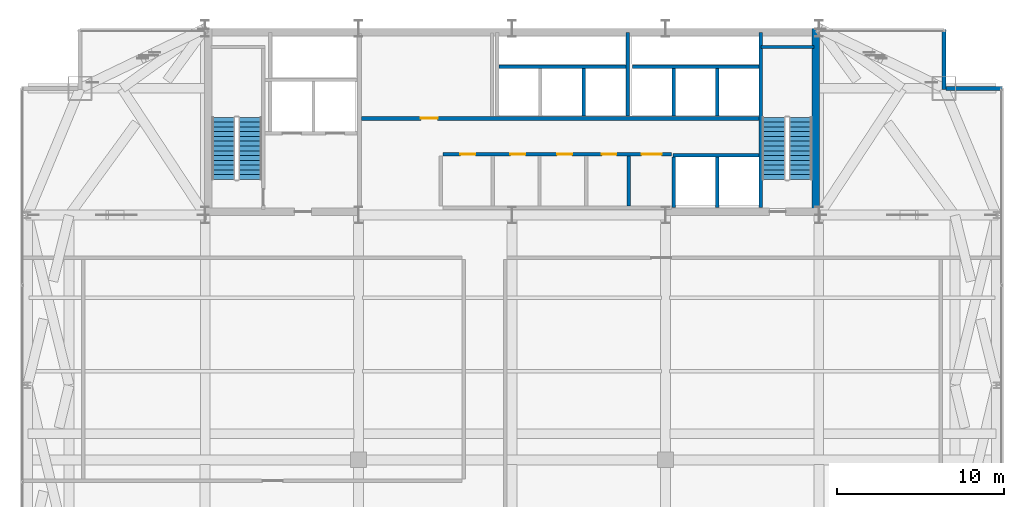
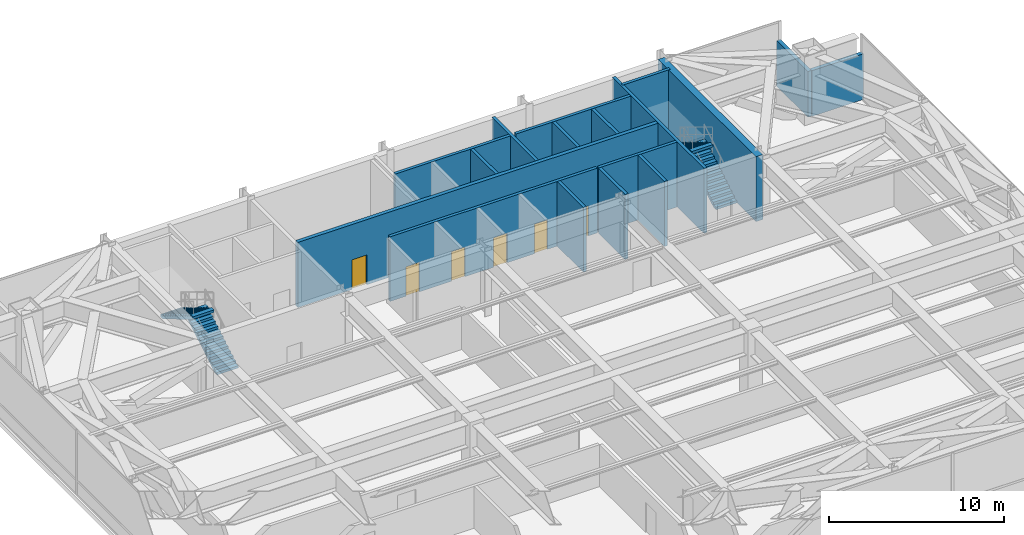
# One storey, part 31 of 32: 17 walls, 6 doors, 4 stair flights, 6 openings, 2 elements without a shape of their own.
"""IFC4 building model written with IfcOpenShell, lengths in metres."""

from ifc_helpers import new_model, si_unit, direction, frame, frame_2d, origin, place, context, subcontext, project, spatial, polyline, rectangle, outline, extrude, source, transform, mapped, material, layer, layer_set, type_object, type_shapes, element, fill, aggregate, save


model = new_model("IFC4")

# Units and contexts
model_context = context("Model", 3, precision=1e-05, world=origin(), true_north=direction((0.0, 1.0)))
body_context = subcontext(model_context, "Body", "Model", "MODEL_VIEW")
ifc_project = project(units=[si_unit("LENGTHUNIT", "METRE"), si_unit("AREAUNIT", "SQUARE_METRE"), si_unit("VOLUMEUNIT", "CUBIC_METRE"), si_unit("PLANEANGLEUNIT", "RADIAN"), si_unit("MASSUNIT", "GRAM", prefix="KILO")], contexts=[model_context])

# Site, building, storey
site_placement = place(None, origin())
site = spatial("IfcSite", under=ifc_project, at=site_placement, CompositionType="ELEMENT")
building_placement = place(site_placement, origin())
building = spatial("IfcBuilding", under=site, at=building_placement, Name="Varnel Quay Broadcast Tower", CompositionType="ELEMENT")
storey_placement = place(building_placement, frame((0.0, 0.0, 141.0)))
storey = spatial("IfcBuildingStorey", under=building, at=storey_placement, Name="L34", CompositionType="ELEMENT", Elevation=141.0)

# Walls
ifc_material_1 = material(Name="Concrete CSA A23.3 C50/60", Category="concrete")
ifc_layer_1 = layer(ifc_material_1, 0.199951171875, Name="Concrete CSA A23.3 C50/60")
ifc_layer_set_1 = layer_set([ifc_layer_1], Name="Concrete CSA A23.3 C50/60")
wall_type_1 = type_object("IfcWallType", Name="Wall_CoreShaftShear200", PredefinedType="SHEAR", material=ifc_layer_set_1)
wall_1_placement = place(storey_placement, frame((48.919921875, 36.050048828125, 0.0), z_axis=(0.0, 0.0, 1.0), x_axis=(0.0, 1.0, 0.0)))
element("IfcWall", 1, at=wall_1_placement, inside=storey, type_object=wall_type_1, Name="L34 Stair 2 West Structural Wall", PredefinedType="SHEAR", context=body_context, shape_type="SweptSolid", body=[
    extrude(rectangle(XDim=10.5, YDim=0.199951171875, at=frame_2d((5.25, 0.0))), origin(), (0.0, 0.0, 1.0), 4.550048828125),
])
wall_2_placement = place(storey_placement, frame((48.919921875, 45.679931640625, 0.0), z_axis=(0.0, 0.0, 1.0), x_axis=(1.0, 0.0, 0.0)))
element("IfcWall", 2, at=wall_2_placement, inside=storey, type_object=wall_type_1, Name="L34 Stair 2 North Structural Wall", PredefinedType="SHEAR", context=body_context, shape_type="SweptSolid", body=[
    extrude(rectangle(XDim=3.18017578125, YDim=0.199951171875, at=frame_2d((1.590087890625, 0.0))), origin(), (0.0, 0.0, 1.0), 4.550048828125),
])
wall_3_placement = place(storey_placement, frame((33.219970703125, 44.5, 0.0), z_axis=(0.0, 0.0, 1.0), x_axis=(1.0, 0.0, 0.0)))
element("IfcWall", 3, at=wall_3_placement, inside=storey, type_object=wall_type_1, Name="L34 Mid-Rise Lift Shaft Rear Wall", PredefinedType="SHEAR", context=body_context, shape_type="SweptSolid", body=[
    extrude(rectangle(XDim=7.630126953125, YDim=0.199951171875, at=frame_2d((3.81494140625, 0.0))), origin(), (0.0, 0.0, 1.0), 4.550048828125),
])
wall_4_placement = place(storey_placement, frame((38.300048828125, 41.530029296875, 0.0), z_axis=(0.0, 0.0, 1.0), x_axis=(0.0, 1.0, 0.0)))
element("IfcWall", 4, at=wall_4_placement, inside=storey, type_object=wall_type_1, Name="L34 Mid-Rise Lift Shaft Divider 3", PredefinedType="SHEAR", context=body_context, shape_type="SweptSolid", body=[
    extrude(rectangle(XDim=2.869873046875, YDim=0.199951171875, at=frame_2d((1.43505859375, 0.0))), origin(), (0.0, 0.0, 1.0), 4.550048828125),
])
wall_5_placement = place(storey_placement, frame((40.949951171875, 41.530029296875, 0.0), z_axis=(0.0, 0.0, 1.0), x_axis=(0.0, 1.0, 0.0)))
element("IfcWall", 5, at=wall_5_placement, inside=storey, type_object=wall_type_1, Name="L34 Mid-Rise Lift Shaft Divider 4", PredefinedType="SHEAR", context=body_context, shape_type="SweptSolid", body=[
    extrude(rectangle(XDim=5.02001953125, YDim=0.199951171875, at=frame_2d((2.510009765625, 0.0))), origin(), (0.0, 0.0, 1.0), 4.550048828125),
])
wall_6_placement = place(storey_placement, frame((41.219970703125, 44.5, 0.0), z_axis=(0.0, 0.0, 1.0), x_axis=(1.0, 0.0, 0.0)))
element("IfcWall", 6, at=wall_6_placement, inside=storey, type_object=wall_type_1, Name="L34 High-Rise Lift Shaft Rear Wall", PredefinedType="SHEAR", context=body_context, shape_type="SweptSolid", body=[
    extrude(rectangle(XDim=7.580078125, YDim=0.199951171875, at=frame_2d((3.7900390625, 0.0))), origin(), (0.0, 0.0, 1.0), 4.550048828125),
])
for number, where, z_axis, x_axis, name in (
    (7, (43.699951171875, 41.530029296875, 0.0), (0.0, 0.0, 1.0), (0.0, 1.0, 0.0), "L34 High-Rise Lift Shaft Divider 2"),
    (8, (46.300048828125, 41.530029296875, 0.0), (0.0, 0.0, 1.0), (0.0, 1.0, 0.0), "L34 High-Rise Lift Shaft Divider 3"),
):
    element("IfcWall", number, at=place(storey_placement, frame(where, z_axis=z_axis, x_axis=x_axis)), inside=storey, type_object=wall_type_1, Name=name, PredefinedType="SHEAR", context=body_context, shape_type="SweptSolid", body=[
        extrude(rectangle(XDim=2.869873046875, YDim=0.199951171875, at=frame_2d((1.43505859375, 0.0))), origin(), (0.0, 0.0, 1.0), 4.550048828125),
    ])
for number, where, z_axis, x_axis, name in (
    (9, (43.699951171875, 36.050048828125, 0.0), (0.0, 0.0, 1.0), (0.0, 1.0, 0.0), "L34 Express Lift Shaft West Wall"),
    (10, (46.300048828125, 36.050048828125, 0.0), (0.0, 0.0, 1.0), (0.0, 1.0, 0.0), "L34 Express Lift Shaft Divider"),
):
    element("IfcWall", number, at=place(storey_placement, frame(where, z_axis=z_axis, x_axis=x_axis)), inside=storey, type_object=wall_type_1, Name=name, PredefinedType="SHEAR", context=body_context, shape_type="SweptSolid", body=[
        extrude(rectangle(XDim=3.050048828125, YDim=0.199951171875, at=frame_2d((1.52490234375, 0.0))), origin(), (0.0, 0.0, 1.0), 4.550048828125),
    ])
wall_7_placement = place(storey_placement, frame((43.64990234375, 39.199951171875, 0.0), z_axis=(0.0, 0.0, 1.0), x_axis=(1.0, 0.0, 0.0)))
element("IfcWall", 11, at=wall_7_placement, inside=storey, type_object=wall_type_1, Name="L34 Express Lift Shaft North Front Wall", PredefinedType="SHEAR", context=body_context, shape_type="SweptSolid", body=[
    extrude(rectangle(XDim=5.150146484375, YDim=0.199951171875, at=frame_2d((2.5751953125, 0.0))), origin(), (0.0, 0.0, 1.0), 4.550048828125),
])

# Wall, opening, door
ifc_layer_2 = layer(ifc_material_1, 0.25, Name="Concrete CSA A23.3 C50/60")
ifc_layer_set_2 = layer_set([ifc_layer_2], Name="Concrete CSA A23.3 C50/60")
wall_type_2 = type_object("IfcWallType", Name="Wall_CoreShaftShear250", PredefinedType="SHEAR", material=ifc_layer_set_2)
wall_8_placement = place(storey_placement, frame((24.97998046875, 41.39990234375, 0.0), z_axis=(0.0, 0.0, 1.0), x_axis=(1.0, 0.0, 0.0)))
wall_8 = element("IfcWall", 12, at=wall_8_placement, inside=storey, type_object=wall_type_2, Name="L34 North Lift Bank & Reclaimed Suite Wall", PredefinedType="SHEAR", context=body_context, shape_type="SweptSolid", body=[
    extrude(rectangle(XDim=23.820068359375, YDim=0.25, at=frame_2d((11.91015625, 0.0))), origin(), (0.0, 0.0, 1.0), 4.550048828125),
])
opening_1_placement = place(wall_8_placement, frame((3.56005859375, 0.0, 0.0)))
opening_1 = element("IfcOpeningElement", 13, at=opening_1_placement, cuts=wall_8, Name="Opening D-L34-RECA1", PredefinedType="OPENING", context=body_context, shape_type="SweptSolid", body=[
    extrude(rectangle(XDim=1.0, YDim=2.080078125, at=frame_2d((0.5, 1.0400390625))), frame((0.0, 0.135009765625, 0.0), z_axis=(0.0, -1.0, 0.0), x_axis=(1.0, 0.0, 0.0)), (0.0, 0.0, 1.0), 0.27001953125),
])
ifc_material_2 = material(Name="Insulated Fire-Rated Hollow Steel Door", Category="steel")
door_type_1 = type_object("IfcDoorType", Name="Door_FireLobby1000", OperationType="NOTDEFINED", PredefinedType="DOOR", material=ifc_material_2)
shared_shape_1 = source(origin(), body_context, "Body", "SweptSolid", [
    extrude(rectangle(XDim=1.0, YDim=2.080078125, at=frame_2d((0.5, 1.0400390625))), frame((0.0, 0.02490234375, 0.0), z_axis=(0.0, -1.0, 0.0), x_axis=(1.0, 0.0, 0.0)), (0.0, 0.0, 1.0), 0.050048828125),
])
type_shapes(door_type_1, [shared_shape_1])
door_1_placement = place(opening_1_placement, origin())
door_1 = element("IfcDoor", 14, at=door_1_placement, inside=storey, type_object=door_type_1, Name="L34 L34 Mechanical Exhaust Plenum A Door", OperationType="SINGLE_SWING_LEFT", OverallHeight=2.080078125, OverallWidth=1.0, PredefinedType="DOOR", context=body_context, shape_type="MappedRepresentation", body=[
    mapped(shared_shape_1, transform((0.0, 0.0, 0.0), x_axis=(1.0, 0.0, 0.0), y_axis=(0.0, 1.0, 0.0), z_axis=(0.0, 0.0, 1.0), scale=1.0)),
])
fill(opening_1, door_1)

# Walls
ifc_material_3 = material(Name="Concrete CSA A23.3 C60/75", Category="concrete")
ifc_layer_3 = layer(ifc_material_3, 0.449951171875, Name="Concrete CSA A23.3 C60/75")
ifc_layer_set_3 = layer_set([ifc_layer_3], Name="Concrete CSA A23.3 C60/75")
wall_type_3 = type_object("IfcWallType", Name="Wall_CoreShearInt450", PredefinedType="SHEAR", material=ifc_layer_set_3)
wall_9_placement = place(storey_placement, frame((52.205078125, 35.570068359375, 0.0), z_axis=(0.0, 0.0, 1.0), x_axis=(0.0, 1.0, 0.0)))
element("IfcWall", 15, at=wall_9_placement, inside=storey, type_object=wall_type_3, Name="L34 East Core Shear Wall", PredefinedType="SHEAR", context=body_context, shape_type="SweptSolid", body=[
    extrude(rectangle(XDim=11.22998046875, YDim=0.449951171875, at=frame_2d((5.614990234375, 0.0))), origin(), (0.0, 0.0, 1.0), 4.550048828125),
])
ifc_material_4 = material(Name="Precast Architectural Concrete C40/50", Category="concrete")
ifc_layer_4 = layer(ifc_material_4, 0.25, Name="Precast Architectural Concrete C40/50")
ifc_layer_set_4 = layer_set([ifc_layer_4], Name="Precast Architectural Concrete C40/50")
wall_type_4 = type_object("IfcWallType", Name="Wall_ExtTerrace250", PredefinedType="SOLIDWALL", material=ifc_layer_set_4)
wall_10_placement = place(storey_placement, frame((60.030029296875, 43.199951171875, 0.0), z_axis=(0.0, 0.0, 1.0), x_axis=(1.0, 0.0, 0.0)))
element("IfcWall", 16, at=wall_10_placement, inside=storey, type_object=wall_type_4, Name="L34 Mega-Column Notch Cladding Wall NNE1", PredefinedType="SOLIDWALL", context=body_context, shape_type="SweptSolid", body=[
    extrude(rectangle(XDim=3.389892578125, YDim=0.25, at=frame_2d((1.69482421875, 0.0))), origin(), (0.0, 0.0, 1.0), 3.195068359375),
])
wall_11_placement = place(storey_placement, frame((59.89990234375, 43.1201171875, 0.0), z_axis=(0.0, 0.0, 1.0), x_axis=(0.0, 1.0, 0.0)))
element("IfcWall", 17, at=wall_11_placement, inside=storey, type_object=wall_type_4, Name="L34 Mega-Column Notch Cladding Wall NNE2", PredefinedType="SOLIDWALL", context=body_context, shape_type="SweptSolid", body=[
    extrude(rectangle(XDim=3.599853515625, YDim=0.25, at=frame_2d((1.7998046875, 0.0))), origin(), (0.0, 0.0, 1.0), 3.195068359375),
])

# Wall, openings, doors
ifc_material_5 = material(Name="Concrete Blockwork Fire Enclosure C40/50", Category="masonry")
ifc_layer_5 = layer(ifc_material_5, 0.199951171875, Name="Concrete Blockwork Fire Enclosure C40/50")
ifc_layer_set_5 = layer_set([ifc_layer_5], Name="Concrete Blockwork Fire Enclosure C40/50")
wall_type_5 = type_object("IfcWallType", Name="Wall_FireShaft200", PredefinedType="SOLIDWALL", material=ifc_layer_set_5)
wall_12_placement = place(storey_placement, frame((29.85009765625, 39.25, 0.0), z_axis=(0.0, 0.0, 1.0), x_axis=(1.0, 0.0, 0.0)))
wall_12 = element("IfcWall", 18, at=wall_12_placement, inside=storey, type_object=wall_type_5, Name="L34 Plant Floor Accessible Washroom Partition 3", PredefinedType="SOLIDWALL", context=body_context, shape_type="SweptSolid", body=[
    extrude(rectangle(XDim=13.699951171875, YDim=0.199951171875, at=frame_2d((6.85009765625, 0.0))), origin(), (0.0, 0.0, 1.0), 4.530029296875),
])
opening_2_placement = place(wall_12_placement, frame((1.050048828125, 0.0, 0.0)))
opening_2 = element("IfcOpeningElement", 19, at=opening_2_placement, cuts=wall_12, Name="Opening D-L34-01", PredefinedType="OPENING", context=body_context, shape_type="SweptSolid", body=[
    extrude(rectangle(XDim=0.89990234375, YDim=2.06005859375, at=frame_2d((0.449951171875, 1.030029296875))), frame((0.0, 0.10986328125, 0.0), z_axis=(0.0, -1.0, 0.0), x_axis=(1.0, 0.0, 0.0)), (0.0, 0.0, 1.0), 0.219970703125),
])
opening_3_placement = place(wall_12_placement, frame((4.050048828125, 0.0, 0.0)))
opening_3 = element("IfcOpeningElement", 20, at=opening_3_placement, cuts=wall_12, Name="Opening D-L34-02", PredefinedType="OPENING", context=body_context, shape_type="SweptSolid", body=[
    extrude(rectangle(XDim=0.89990234375, YDim=2.06005859375, at=frame_2d((0.449951171875, 1.030029296875))), frame((0.0, 0.10986328125, 0.0), z_axis=(0.0, -1.0, 0.0), x_axis=(1.0, 0.0, 0.0)), (0.0, 0.0, 1.0), 0.219970703125),
])
opening_4_placement = place(wall_12_placement, frame((6.85009765625, 0.0, 0.0)))
opening_4 = element("IfcOpeningElement", 21, at=opening_4_placement, cuts=wall_12, Name="Opening D-L34-03", PredefinedType="OPENING", context=body_context, shape_type="SweptSolid", body=[
    extrude(rectangle(XDim=0.89990234375, YDim=2.06005859375, at=frame_2d((0.449951171875, 1.030029296875))), frame((0.0, 0.10986328125, 0.0), z_axis=(0.0, -1.0, 0.0), x_axis=(1.0, 0.0, 0.0)), (0.0, 0.0, 1.0), 0.219970703125),
])
opening_5_placement = place(wall_12_placement, frame((9.534912109375, 0.0, 0.0)))
opening_5 = element("IfcOpeningElement", 22, at=opening_5_placement, cuts=wall_12, Name="Opening D-L34-04", PredefinedType="OPENING", context=body_context, shape_type="SweptSolid", body=[
    extrude(rectangle(XDim=0.8798828125, YDim=2.06005859375, at=frame_2d((0.43994140625, 1.030029296875))), frame((0.0, 0.10986328125, 0.0), z_axis=(0.0, -1.0, 0.0), x_axis=(1.0, 0.0, 0.0)), (0.0, 0.0, 1.0), 0.219970703125),
])
opening_6_placement = place(wall_12_placement, frame((11.925048828125, 0.0, 0.0)))
opening_6 = element("IfcOpeningElement", 23, at=opening_6_placement, cuts=wall_12, Name="Opening D-L34-05", PredefinedType="OPENING", context=body_context, shape_type="SweptSolid", body=[
    extrude(rectangle(XDim=1.199951171875, YDim=2.10009765625, at=frame_2d((0.60009765625, 1.050048828125))), frame((0.0, 0.10986328125, 0.0), z_axis=(0.0, -1.0, 0.0), x_axis=(1.0, 0.0, 0.0)), (0.0, 0.0, 1.0), 0.219970703125),
])
ifc_material_6 = material(Name="Solid-Core Fire-Rated Acoustic Oak Veneer Door", Category="wood")
door_type_2 = type_object("IfcDoorType", Name="Door_Washroom900", OperationType="NOTDEFINED", PredefinedType="DOOR", material=ifc_material_6)
shared_shape_2 = source(origin(), body_context, "Body", "SweptSolid", [
    extrude(rectangle(XDim=0.89990234375, YDim=2.06005859375, at=frame_2d((0.449951171875, 1.030029296875))), frame((0.0, 0.02490234375, 0.0), z_axis=(0.0, -1.0, 0.0), x_axis=(1.0, 0.0, 0.0)), (0.0, 0.0, 1.0), 0.050048828125),
])
type_shapes(door_type_2, [shared_shape_2])
door_2_placement = place(opening_2_placement, frame((0.89990234375, 0.0, 0.0), z_axis=(0.0, 0.0, 1.0), x_axis=(-1.0, 0.0, 0.0)))
door_2 = element("IfcDoor", 24, at=door_2_placement, inside=storey, type_object=door_type_2, Name="L34 Plant Floor Accessible Washroom Door D-L34-01", OperationType="SINGLE_SWING_RIGHT", OverallHeight=2.06005859375, OverallWidth=0.89990234375, PredefinedType="DOOR", context=body_context, shape_type="MappedRepresentation", body=[
    mapped(shared_shape_2, transform((0.0, 0.0, 0.0), x_axis=(1.0, 0.0, 0.0), y_axis=(0.0, 1.0, 0.0), z_axis=(0.0, 0.0, 1.0), scale=1.0)),
])
fill(opening_2, door_2)
door_3_placement = place(opening_3_placement, frame((0.89990234375, 0.0, 0.0), z_axis=(0.0, 0.0, 1.0), x_axis=(-1.0, 0.0, 0.0)))
door_3 = element("IfcDoor", 25, at=door_3_placement, inside=storey, type_object=door_type_2, Name="L34 Mechanical West Washroom Door D-L34-02", OperationType="SINGLE_SWING_LEFT", OverallHeight=2.06005859375, OverallWidth=0.89990234375, PredefinedType="DOOR", context=body_context, shape_type="MappedRepresentation", body=[
    mapped(shared_shape_2, transform((0.0, 0.0, 0.0), x_axis=(1.0, 0.0, 0.0), y_axis=(0.0, 1.0, 0.0), z_axis=(0.0, 0.0, 1.0), scale=1.0)),
])
fill(opening_3, door_3)
door_4_placement = place(opening_4_placement, frame((0.89990234375, 0.0, 0.0), z_axis=(0.0, 0.0, 1.0), x_axis=(-1.0, 0.0, 0.0)))
door_4 = element("IfcDoor", 26, at=door_4_placement, inside=storey, type_object=door_type_2, Name="L34 Mechanical East Washroom Door D-L34-03", OperationType="SINGLE_SWING_RIGHT", OverallHeight=2.06005859375, OverallWidth=0.89990234375, PredefinedType="DOOR", context=body_context, shape_type="MappedRepresentation", body=[
    mapped(shared_shape_2, transform((0.0, 0.0, 0.0), x_axis=(1.0, 0.0, 0.0), y_axis=(0.0, 1.0, 0.0), z_axis=(0.0, 0.0, 1.0), scale=1.0)),
])
fill(opening_4, door_4)
door_type_3 = type_object("IfcDoorType", Name="Door_Plant1200", OperationType="NOTDEFINED", PredefinedType="DOOR", material=ifc_material_2)
shared_shape_3 = source(origin(), body_context, "Body", "SweptSolid", [
    extrude(rectangle(XDim=1.199951171875, YDim=2.10009765625, at=frame_2d((0.60009765625, 1.050048828125))), frame((0.0, 0.02490234375, 0.0), z_axis=(0.0, -1.0, 0.0), x_axis=(1.0, 0.0, 0.0)), (0.0, 0.0, 1.0), 0.050048828125),
])
type_shapes(door_type_3, [shared_shape_3])
door_5_placement = place(opening_6_placement, origin())
door_5 = element("IfcDoor", 27, at=door_5_placement, inside=storey, type_object=door_type_3, Name="L34 Mechanical Telecom IDF Switchroom Door D-L34-05", OperationType="SINGLE_SWING_RIGHT", OverallHeight=2.10009765625, OverallWidth=1.199951171875, PredefinedType="DOOR", context=body_context, shape_type="MappedRepresentation", body=[
    mapped(shared_shape_3, transform((0.0, 0.0, 0.0), x_axis=(1.0, 0.0, 0.0), y_axis=(0.0, 1.0, 0.0), z_axis=(0.0, 0.0, 1.0), scale=1.0)),
])
fill(opening_6, door_5)
door_type_4 = type_object("IfcDoorType", Name="Door_Booth880", OperationType="NOTDEFINED", PredefinedType="DOOR", material=ifc_material_6)
shared_shape_4 = source(origin(), body_context, "Body", "SweptSolid", [
    extrude(rectangle(XDim=0.8798828125, YDim=2.06005859375, at=frame_2d((0.43994140625, 1.030029296875))), frame((0.0, 0.02490234375, 0.0), z_axis=(0.0, -1.0, 0.0), x_axis=(1.0, 0.0, 0.0)), (0.0, 0.0, 1.0), 0.050048828125),
])
type_shapes(door_type_4, [shared_shape_4])
door_6_placement = place(opening_5_placement, frame((0.8798828125, 0.0, 0.0), z_axis=(0.0, 0.0, 1.0), x_axis=(-1.0, 0.0, 0.0)))
door_6 = element("IfcDoor", 28, at=door_6_placement, inside=storey, type_object=door_type_4, Name="L34 Cleaners' & Linen Store Door D-L34-04", OperationType="SINGLE_SWING_LEFT", OverallHeight=2.06005859375, OverallWidth=0.8798828125, PredefinedType="DOOR", context=body_context, shape_type="MappedRepresentation", body=[
    mapped(shared_shape_4, transform((0.0, 0.0, 0.0), x_axis=(1.0, 0.0, 0.0), y_axis=(0.0, 1.0, 0.0), z_axis=(0.0, 0.0, 1.0), scale=1.0)),
])
fill(opening_5, door_6)

# Wall
wall_13_placement = place(storey_placement, frame((41.0, 36.14990234375, 0.0), z_axis=(0.0, 0.0, 1.0), x_axis=(0.0, 1.0, 0.0)))
element("IfcWall", 29, at=wall_13_placement, inside=storey, type_object=wall_type_5, Name="L34 Cleaners' & Linen Store Partition 7", PredefinedType="SOLIDWALL", context=body_context, shape_type="SweptSolid", body=[
    extrude(rectangle(XDim=3.0, YDim=0.199951171875, at=frame_2d((1.5, 0.0))), origin(), (0.0, 0.0, 1.0), 4.530029296875),
])

# Stair, stair flights
ifc_material_7 = material(Name="Precast Structural Concrete C40/50", Category="concrete")
stair_type_1 = type_object("IfcStairType", Name="Stair_ST-01", PredefinedType="HALF_TURN_STAIR", material=ifc_material_7)
stair_1_placement = place(storey_placement, origin())
stair_1 = element("IfcStair", 30, at=stair_1_placement, inside=storey, type_object=stair_type_1, Name="L34 West Core Exit Stair 1", PredefinedType="HALF_TURN_STAIR")
stair_flight_type_1 = type_object("IfcStairFlightType", Name="Flight_ST-01", PredefinedType="STRAIGHT", material=ifc_material_7)
stair_flight_1_placement = place(storey_placement, frame((18.300048828125, 37.75, 0.0), z_axis=(0.0, 0.0, 1.0), x_axis=(0.0, 1.0, 0.0)))
stair_flight_1 = element("IfcStairFlight", 31, at=stair_flight_1_placement, type_object=stair_flight_type_1, Name="ST-01 flight 1", NumberOfRisers=14, NumberOfTreads=13, PredefinedType="STRAIGHT", RiserHeight=0.171428571, TreadLength=0.285, context=body_context, shape_type="SweptSolid", body=[
    extrude(outline(polyline([(0.0, 0.0), (0.0, 0.17138671875), (0.284912109375, 0.17138671875), (0.284912109375, 0.3427734375), (0.570068359375, 0.3427734375), (0.570068359375, 0.514404296875), (0.85498046875, 0.514404296875), (0.85498046875, 0.685791015625), (1.139892578125, 0.685791015625), (1.139892578125, 0.857177734375), (1.425048828125, 0.857177734375), (1.425048828125, 1.028564453125), (1.7099609375, 1.028564453125), (1.7099609375, 1.199951171875), (1.9951171875, 1.199951171875), (1.9951171875, 1.371337890625), (2.280029296875, 1.371337890625), (2.280029296875, 1.54296875), (2.56494140625, 1.54296875), (2.56494140625, 1.71435546875), (2.85009765625, 1.71435546875), (2.85009765625, 1.8857421875), (3.135009765625, 1.8857421875), (3.135009765625, 2.05712890625), (3.419921875, 2.05712890625), (3.419921875, 2.228515625), (3.705078125, 2.228515625), (3.705078125, 2.39990234375), (3.705078125, 2.0537109375), (0.290771484375, 0.0), (0.0, 0.0)])), frame((0.0, 0.699951171875, 0.0), z_axis=(0.0, -1.0, 0.0), x_axis=(1.0, 0.0, 0.0)), (0.0, 0.0, 1.0), 1.39990234375),
])
stair_flight_2_placement = place(storey_placement, frame((16.699951171875, 41.455078125, 2.39990234375), z_axis=(0.0, 0.0, 1.0), x_axis=(0.0, -1.0, 0.0)))
stair_flight_2 = element("IfcStairFlight", 32, at=stair_flight_2_placement, type_object=stair_flight_type_1, Name="ST-01 flight 2", NumberOfRisers=14, NumberOfTreads=13, PredefinedType="STRAIGHT", RiserHeight=0.171428571, TreadLength=0.285, context=body_context, shape_type="SweptSolid", body=[
    extrude(outline(polyline([(0.0, 0.0), (0.0, 0.17138671875), (0.284912109375, 0.17138671875), (0.284912109375, 0.3427734375), (0.570068359375, 0.3427734375), (0.570068359375, 0.514404296875), (0.85498046875, 0.514404296875), (0.85498046875, 0.685791015625), (1.139892578125, 0.685791015625), (1.139892578125, 0.857177734375), (1.425048828125, 0.857177734375), (1.425048828125, 1.028564453125), (1.7099609375, 1.028564453125), (1.7099609375, 1.199951171875), (1.9951171875, 1.199951171875), (1.9951171875, 1.371337890625), (2.280029296875, 1.371337890625), (2.280029296875, 1.54296875), (2.56494140625, 1.54296875), (2.56494140625, 1.71435546875), (2.85009765625, 1.71435546875), (2.85009765625, 1.8857421875), (3.135009765625, 1.8857421875), (3.135009765625, 2.05712890625), (3.419921875, 2.05712890625), (3.419921875, 2.228515625), (3.705078125, 2.228515625), (3.705078125, 2.39990234375), (3.705078125, 2.0537109375), (0.290771484375, 0.0), (0.0, 0.0)])), frame((0.0, 0.699951171875, 0.0), z_axis=(0.0, -1.0, 0.0), x_axis=(1.0, 0.0, 0.0)), (0.0, 0.0, 1.0), 1.39990234375),
])
aggregate(stair_1, [stair_flight_1, stair_flight_2])

stair_type_2 = type_object("IfcStairType", Name="Stair_ST-02", PredefinedType="HALF_TURN_STAIR", material=ifc_material_7)
stair_2_placement = place(storey_placement, origin())
stair_2 = element("IfcStair", 33, at=stair_2_placement, inside=storey, type_object=stair_type_2, Name="L34 East Core Exit Stair 2", PredefinedType="HALF_TURN_STAIR")
stair_flight_type_2 = type_object("IfcStairFlightType", Name="Flight_ST-02", PredefinedType="STRAIGHT", material=ifc_material_7)
stair_flight_3_placement = place(storey_placement, frame((51.300048828125, 37.75, 0.0), z_axis=(0.0, 0.0, 1.0), x_axis=(0.0, 1.0, 0.0)))
stair_flight_3 = element("IfcStairFlight", 34, at=stair_flight_3_placement, type_object=stair_flight_type_2, Name="ST-02 flight 1", NumberOfRisers=14, NumberOfTreads=13, PredefinedType="STRAIGHT", RiserHeight=0.171428571, TreadLength=0.285, context=body_context, shape_type="SweptSolid", body=[
    extrude(outline(polyline([(0.0, 0.0), (0.0, 0.17138671875), (0.284912109375, 0.17138671875), (0.284912109375, 0.3427734375), (0.570068359375, 0.3427734375), (0.570068359375, 0.514404296875), (0.85498046875, 0.514404296875), (0.85498046875, 0.685791015625), (1.139892578125, 0.685791015625), (1.139892578125, 0.857177734375), (1.425048828125, 0.857177734375), (1.425048828125, 1.028564453125), (1.7099609375, 1.028564453125), (1.7099609375, 1.199951171875), (1.9951171875, 1.199951171875), (1.9951171875, 1.371337890625), (2.280029296875, 1.371337890625), (2.280029296875, 1.54296875), (2.56494140625, 1.54296875), (2.56494140625, 1.71435546875), (2.85009765625, 1.71435546875), (2.85009765625, 1.8857421875), (3.135009765625, 1.8857421875), (3.135009765625, 2.05712890625), (3.419921875, 2.05712890625), (3.419921875, 2.228515625), (3.705078125, 2.228515625), (3.705078125, 2.39990234375), (3.705078125, 2.0537109375), (0.290771484375, 0.0), (0.0, 0.0)])), frame((0.0, 0.699951171875, 0.0), z_axis=(0.0, -1.0, 0.0), x_axis=(1.0, 0.0, 0.0)), (0.0, 0.0, 1.0), 1.39990234375),
])
stair_flight_4_placement = place(storey_placement, frame((49.699951171875, 41.455078125, 2.39990234375), z_axis=(0.0, 0.0, 1.0), x_axis=(0.0, -1.0, 0.0)))
stair_flight_4 = element("IfcStairFlight", 35, at=stair_flight_4_placement, type_object=stair_flight_type_2, Name="ST-02 flight 2", NumberOfRisers=14, NumberOfTreads=13, PredefinedType="STRAIGHT", RiserHeight=0.171428571, TreadLength=0.285, context=body_context, shape_type="SweptSolid", body=[
    extrude(outline(polyline([(0.0, 0.0), (0.0, 0.17138671875), (0.284912109375, 0.17138671875), (0.284912109375, 0.3427734375), (0.570068359375, 0.3427734375), (0.570068359375, 0.514404296875), (0.85498046875, 0.514404296875), (0.85498046875, 0.685791015625), (1.139892578125, 0.685791015625), (1.139892578125, 0.857177734375), (1.425048828125, 0.857177734375), (1.425048828125, 1.028564453125), (1.7099609375, 1.028564453125), (1.7099609375, 1.199951171875), (1.9951171875, 1.199951171875), (1.9951171875, 1.371337890625), (2.280029296875, 1.371337890625), (2.280029296875, 1.54296875), (2.56494140625, 1.54296875), (2.56494140625, 1.71435546875), (2.85009765625, 1.71435546875), (2.85009765625, 1.8857421875), (3.135009765625, 1.8857421875), (3.135009765625, 2.05712890625), (3.419921875, 2.05712890625), (3.419921875, 2.228515625), (3.705078125, 2.228515625), (3.705078125, 2.39990234375), (3.705078125, 2.0537109375), (0.290771484375, 0.0), (0.0, 0.0)])), frame((0.0, 0.699951171875, 0.0), z_axis=(0.0, -1.0, 0.0), x_axis=(1.0, 0.0, 0.0)), (0.0, 0.0, 1.0), 1.39990234375),
])
aggregate(stair_2, [stair_flight_3, stair_flight_4])

save(model, "model.ifc")
